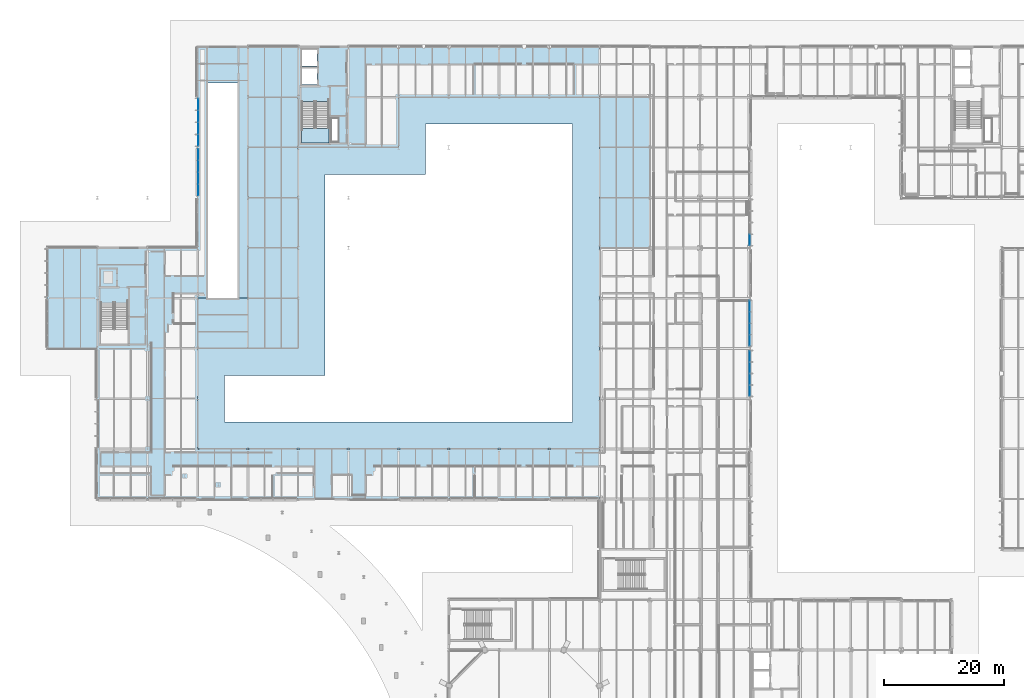
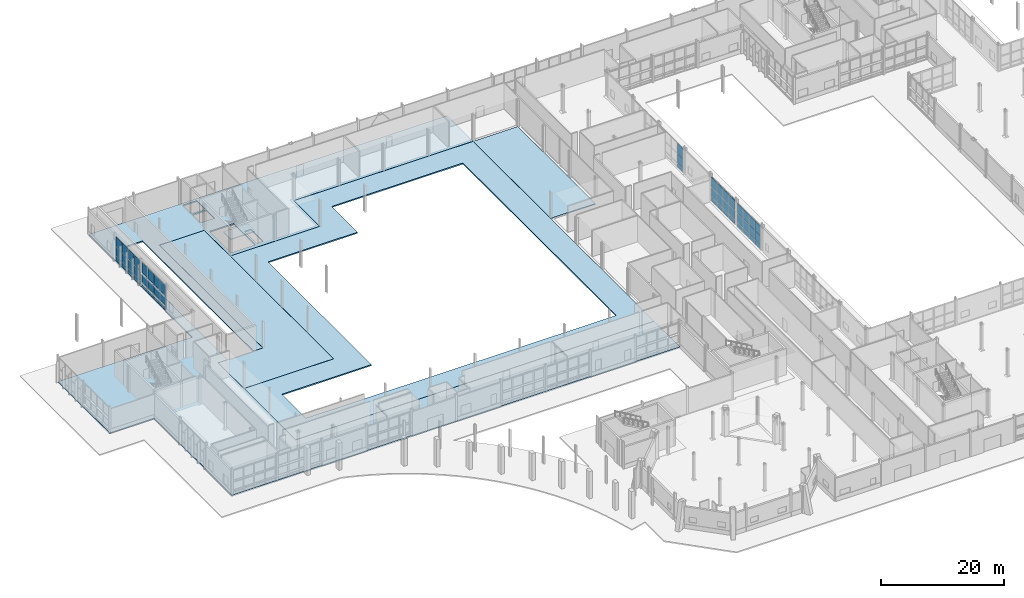
# One storey, part 74 of 124: 51 plates, 5 slabs, 6 elements without a shape of their own.
"""IFC4 building model written with IfcOpenShell, lengths in metres."""

import ifcopenshell
import ifcopenshell.guid

model = None  # the IFC model being written
_history = None  # IfcOwnerHistory: only IFC2X3 demands one
_inside = {}  # id of a spatial element -> (the spatial element, [elements in it])
_under = {}  # id of a project, library or spatial element -> (it, [spatial elements below it])
_declared = {}  # id of a project -> (the project, [libraries it declares])
_typed = {}  # id of a type object -> (the type object, [elements of that type])
_made_of = {}  # id of a material, layer set ... -> (it, [elements and type objects made of it])


def new_model(schema):
    """Start an empty IFC model of exactly this schema.

    Asked for "IFC4X3", IfcOpenShell would pick the latest addendum, in which some entities
    have other attributes; the version numbers below select the first issue.
    IFC2X3 requires an IfcOwnerHistory on every rooted entity: one is made here for all.
    """
    global model, _history
    if schema == "IFC4X3":
        model = ifcopenshell.file(schema_version=(4, 3, 0, 0))
    else:
        model = ifcopenshell.file(schema=schema)
    _inside.clear()
    _under.clear()
    _declared.clear()
    _typed.clear()
    _made_of.clear()
    _history = None
    if model.schema == "IFC2X3":
        org = make("IfcOrganization", Name="unknown")
        user = make(
            "IfcPersonAndOrganization",
            ThePerson=make("IfcPerson", FamilyName="unknown"),
            TheOrganization=org,
        )
        app = make(
            "IfcApplication",
            ApplicationDeveloper=org,
            Version="unknown",
            ApplicationFullName="unknown",
            ApplicationIdentifier="unknown",
        )
        _history = make(
            "IfcOwnerHistory",
            OwningUser=user,
            OwningApplication=app,
            ChangeAction="ADDED",
            CreationDate=0,
        )
    return model


def make(cls, **values):
    """One entity of the class cls with the attributes given. An attribute that is None is left unset."""
    return model.create_entity(
        cls, **{name: value for name, value in values.items() if value is not None}
    )


def rooted(cls, **values):
    """An entity with a GlobalId (a new one), such as an element, a storey or a relation."""
    return make(cls, GlobalId=ifcopenshell.guid.new(), OwnerHistory=_history, **values)


def si_unit(unit_type, name, prefix=None):
    """IfcSIUnit, for example si_unit("LENGTHUNIT", "METRE", prefix="MILLI")."""
    return make("IfcSIUnit", UnitType=unit_type, Prefix=prefix, Name=name)


def assignment(units):
    """IfcUnitAssignment: the units of a project."""
    return None if units is None else make("IfcUnitAssignment", Units=units)


def point(xyz):
    """IfcCartesianPoint."""
    return None if xyz is None else make("IfcCartesianPoint", Coordinates=xyz)


def direction(xyz):
    """IfcDirection."""
    return None if xyz is None else make("IfcDirection", DirectionRatios=xyz)


def frame(location, z_axis=None, x_axis=None):
    """IfcAxis2Placement3D, a coordinate frame: its origin and axes. An axis left out is left unset."""
    return make(
        "IfcAxis2Placement3D",
        Location=point(location),
        Axis=direction(z_axis),
        RefDirection=direction(x_axis),
    )


def frame_2d(location, x_axis=None):
    """IfcAxis2Placement2D, a coordinate frame in the plane: its origin and x axis."""
    return make(
        "IfcAxis2Placement2D", Location=point(location), RefDirection=direction(x_axis)
    )


def origin():
    """The frame at (0, 0, 0) with its axes left unset."""
    return frame((0.0, 0.0, 0.0))


def origin_2d():
    """The frame at (0, 0) in the plane with its x axis left unset."""
    return frame_2d((0.0, 0.0))


def place(relative_to, where):
    """IfcLocalPlacement: puts the frame where relative to a parent placement (None: the world)."""
    return make(
        "IfcLocalPlacement", PlacementRelTo=relative_to, RelativePlacement=where
    )


def context(
    kind, dimensions, precision=None, world=None, true_north=None, identifier=None
):
    """IfcGeometricRepresentationContext, for example the 3D "Model" context."""
    return make(
        "IfcGeometricRepresentationContext",
        ContextIdentifier=identifier,
        ContextType=kind,
        CoordinateSpaceDimension=dimensions,
        Precision=precision,
        WorldCoordinateSystem=world,
        TrueNorth=true_north,
    )


def subcontext(parent, identifier, kind, view, scale=None):
    """IfcGeometricRepresentationSubContext, for example "Body" below "Model"."""
    return make(
        "IfcGeometricRepresentationSubContext",
        ContextIdentifier=identifier,
        ContextType=kind,
        ParentContext=parent,
        TargetScale=scale,
        TargetView=view,
    )


def project(units=None, contexts=None):
    """IfcProject with its units and contexts."""
    return rooted(
        "IfcProject",
        Name="project",
        RepresentationContexts=contexts,
        UnitsInContext=assignment(units),
    )


def spatial(cls, under=None, at=None, **own):
    """A site, building, storey or space (cls), placed at a placement, below another one or the project."""
    s = rooted(cls, ObjectPlacement=at, **own)
    if under is not None:
        _under.setdefault(under.id(), (under, []))[1].append(s)
    return s


def polyline(points):
    """IfcPolyline through the points."""
    return make("IfcPolyline", Points=[point(p) for p in points])


def profile(cls, at=None, kind="AREA", **sizes):
    """A parametric profile (cls). Its sizes go by their IFC names, for example OverallWidth=200.0."""
    return make(cls, ProfileType=kind, Position=at, **sizes)


def rectangle(**sizes):
    """IfcRectangleProfileDef."""
    return profile("IfcRectangleProfileDef", **sizes)


def outline(outer, holes=None, kind="AREA"):
    """IfcArbitraryClosedProfileDef: a profile drawn as a closed curve; with holes, ...WithVoids."""
    if holes is None:
        return make("IfcArbitraryClosedProfileDef", ProfileType=kind, OuterCurve=outer)
    return make(
        "IfcArbitraryProfileDefWithVoids",
        ProfileType=kind,
        OuterCurve=outer,
        InnerCurves=holes,
    )


def extrude(swept, where, along, depth):
    """IfcExtrudedAreaSolid: the profile swept, set in the frame where, extruded along a direction by depth."""
    return make(
        "IfcExtrudedAreaSolid",
        SweptArea=swept,
        Position=where,
        ExtrudedDirection=direction(along),
        Depth=depth,
    )


def shape(context_of_items, identifier, shape_type, items):
    """IfcShapeRepresentation: the items that make up one representation, for example the "Body"."""
    return make(
        "IfcShapeRepresentation",
        ContextOfItems=context_of_items,
        RepresentationIdentifier=identifier,
        RepresentationType=shape_type,
        Items=items,
    )


def material(Name=None, Category=None):
    """IfcMaterial."""
    return make("IfcMaterial", Name=Name, Category=Category)


def layer(
    of_material, thickness, ventilated=None, Name=None, Category=None, Priority=None
):
    """IfcMaterialLayer: one layer of a wall or slab, of a material (None: an air gap)."""
    return make(
        "IfcMaterialLayer",
        Material=of_material,
        LayerThickness=thickness,
        IsVentilated=ventilated,
        Name=Name,
        Category=Category,
        Priority=Priority,
    )


def layer_set(layers, Name=None):
    """IfcMaterialLayerSet."""
    return make("IfcMaterialLayerSet", MaterialLayers=layers, LayerSetName=Name)


def made_of(thing, what):
    """Note that an element or type object is made of a material, layer set ...; save() writes the relation."""
    if what is not None:
        _made_of.setdefault(what.id(), (what, []))[1].append(thing)
    return thing


def type_object(cls, material=None, **own):
    """A type object (cls), such as IfcWallType, which elements share."""
    return made_of(rooted(cls, **own), material)


def element(
    cls,
    number,
    at=None,
    inside=None,
    cuts=None,
    type_object=None,
    material=None,
    context=None,
    identifier="Body",
    shape_type=None,
    held_by="IfcProductDefinitionShape",
    body=None,
    shapes=None,
    **own,
):
    """One element of the class cls, such as IfcWall. Its Tag is "e" and its number.

    at: its placement. inside: the storey or other place that contains it. cuts: it is an
    opening in that element (IfcRelVoidsElement). A single representation is given by context,
    identifier, shape_type and body (its items); several are given by shapes. held_by: the class
    of the entity that holds the representations. save() writes the other relations.
    """
    e = rooted(cls, Tag="e%d" % number, ObjectPlacement=at, **own)
    if body is not None:
        shapes = [shape(context, identifier, shape_type, body)]
    if shapes is not None:
        e.Representation = make(held_by, Representations=shapes)
    if inside is not None:
        _inside.setdefault(inside.id(), (inside, []))[1].append(e)
    if cuts is not None:
        rooted(
            "IfcRelVoidsElement", RelatingBuildingElement=cuts, RelatedOpeningElement=e
        )
    if type_object is not None:
        _typed.setdefault(type_object.id(), (type_object, []))[1].append(e)
    return made_of(e, material)


def aggregate(whole, parts):
    """IfcRelAggregates: a whole, such as a stair, and the parts it consists of."""
    return rooted("IfcRelAggregates", RelatingObject=whole, RelatedObjects=parts)


def save(model, path):
    """Write the relations noted so far, then the file.

    IfcRelAggregates (storeys below a building ...), IfcRelContainedInSpatialStructure (elements
    in a storey), IfcRelDefinesByType, IfcRelAssociatesMaterial and IfcRelDeclares: one each for
    every whole, place, type object, material and project.
    """
    for whole, parts in _under.values():
        aggregate(whole, parts)
    for where, things in _inside.values():
        rooted(
            "IfcRelContainedInSpatialStructure",
            RelatedElements=things,
            RelatingStructure=where,
        )
    for kind, things in _typed.values():
        rooted("IfcRelDefinesByType", RelatedObjects=things, RelatingType=kind)
    for what, things in _made_of.values():
        rooted("IfcRelAssociatesMaterial", RelatedObjects=things, RelatingMaterial=what)
    for by, libraries in _declared.values():
        rooted("IfcRelDeclares", RelatingContext=by, RelatedDefinitions=libraries)
    model.write(path)


model = new_model("IFC4")

# Units and contexts
model_context = context("Model", 3, precision=1e-05, world=origin(), true_north=direction((0.0, 1.0)))
body_context = subcontext(model_context, "Body", "Model", "MODEL_VIEW")
ifc_project = project(units=[si_unit("LENGTHUNIT", "METRE"), si_unit("AREAUNIT", "SQUARE_METRE"), si_unit("VOLUMEUNIT", "CUBIC_METRE"), si_unit("PLANEANGLEUNIT", "RADIAN"), si_unit("MASSUNIT", "GRAM", prefix="KILO")], contexts=[model_context])

# Site, building, storey
site_placement = place(None, origin())
site = spatial("IfcSite", under=ifc_project, at=site_placement, CompositionType="ELEMENT")
building_placement = place(site_placement, origin())
building = spatial("IfcBuilding", under=site, at=building_placement, Name="Mersafa Astral City Hall", CompositionType="ELEMENT")
storey_placement = place(building_placement, origin())
storey = spatial("IfcBuildingStorey", under=building, at=storey_placement, Name="L00", CompositionType="ELEMENT", Elevation=0.0)

# Curtain wall, plates
ifc_material_1 = material(Name="Anodised bronze aluminium framing", Category="aluminium")
curtain_wall_type_1 = type_object("IfcCurtainWallType", Name="ENV-CW-1", PredefinedType="USERDEFINED", material=ifc_material_1)
curtain_wall_1_placement = place(storey_placement, origin())
curtain_wall_1 = element("IfcCurtainWall", 1, at=curtain_wall_1_placement, inside=storey, type_object=curtain_wall_type_1, Name="L00 Unitised solar curtain wall 12", ObjectType="UNITISED CURTAIN WALL", PredefinedType="USERDEFINED")
ifc_material_2 = material(Name="Solar control low-e double glazing", Category="glass")
ifc_layer_1 = layer(ifc_material_2, 0.028076171875, Name="Solar control low-e double glazing")
ifc_layer_set_1 = layer_set([ifc_layer_1], Name="Solar control low-e double glazing — ENV-CW-PNL-GLZ-1")
plate_type_1 = type_object("IfcPlateType", Name="ENV-CW-PNL-GLZ-1", PredefinedType="CURTAIN_PANEL", material=ifc_layer_set_1)
plate_1_placement = place(storey_placement, frame((117.47998046875, 93.7421875, 0.05810546875), z_axis=(0.0, 0.0, 1.0), x_axis=(0.0, 1.0, 0.0)))
plate_1 = element("IfcPlate", 2, at=plate_1_placement, type_object=plate_type_1, Name="CW-1 panel 1.1", PredefinedType="CURTAIN_PANEL", context=body_context, shape_type="SweptSolid", body=[
    extrude(rectangle(XDim=1.770263671875, YDim=0.028076171875, at=origin_2d()), origin(), (0.0, 0.0, 1.0), 0.761962890625),
])
plate_2_placement = place(storey_placement, frame((117.47998046875, 93.7421875, 0.8798828125), z_axis=(0.0, 0.0, 1.0), x_axis=(0.0, 1.0, 0.0)))
plate_2 = element("IfcPlate", 3, at=plate_2_placement, type_object=plate_type_1, Name="CW-1 panel 1.2", PredefinedType="CURTAIN_PANEL", context=body_context, shape_type="SweptSolid", body=[
    extrude(rectangle(XDim=1.770263671875, YDim=0.028076171875, at=origin_2d()), origin(), (0.0, 0.0, 1.0), 1.840087890625),
])
plate_3_placement = place(storey_placement, frame((117.47998046875, 93.7421875, 2.780029296875), z_axis=(0.0, 0.0, 1.0), x_axis=(0.0, 1.0, 0.0)))
plate_3 = element("IfcPlate", 4, at=plate_3_placement, type_object=plate_type_1, Name="CW-1 panel 1.3", PredefinedType="CURTAIN_PANEL", context=body_context, shape_type="SweptSolid", body=[
    extrude(rectangle(XDim=1.770263671875, YDim=0.028076171875, at=origin_2d()), origin(), (0.0, 0.0, 1.0), 2.06201171875),
])
aggregate(curtain_wall_1, [plate_1, plate_2, plate_3])

curtain_wall_type_2 = type_object("IfcCurtainWallType", Name="ENV-CW-5", PredefinedType="USERDEFINED", material=ifc_material_1)
curtain_wall_2_placement = place(storey_placement, origin())
curtain_wall_2 = element("IfcCurtainWall", 5, at=curtain_wall_2_placement, inside=storey, type_object=curtain_wall_type_2, Name="L00 Unitised solar curtain wall 10", ObjectType="UNITISED CURTAIN WALL", PredefinedType="USERDEFINED")
ifc_layer_2 = layer(ifc_material_2, 0.035888671875, Name="Solar control low-e double glazing")
ifc_layer_set_2 = layer_set([ifc_layer_2], Name="Solar control low-e double glazing — ENV-CW-PNL-GLZ-3")
plate_type_2 = type_object("IfcPlateType", Name="ENV-CW-PNL-GLZ-3", PredefinedType="CURTAIN_PANEL", material=ifc_layer_set_2)
plate_4_placement = place(storey_placement, frame((117.47998046875, 68.53271484375, 0.05810546875), z_axis=(0.0, 0.0, 1.0), x_axis=(0.0, 1.0, 0.0)))
plate_4 = element("IfcPlate", 6, at=plate_4_placement, type_object=plate_type_2, Name="CW-5 panel 1.1", PredefinedType="CURTAIN_PANEL", context=body_context, shape_type="SweptSolid", body=[
    extrude(rectangle(XDim=1.75146484375, YDim=0.035888671875, at=origin_2d()), origin(), (0.0, 0.0, 1.0), 0.761962890625),
])
plate_5_placement = place(storey_placement, frame((117.47998046875, 68.53271484375, 0.8798828125), z_axis=(0.0, 0.0, 1.0), x_axis=(0.0, 1.0, 0.0)))
plate_5 = element("IfcPlate", 7, at=plate_5_placement, type_object=plate_type_2, Name="CW-5 panel 1.2", PredefinedType="CURTAIN_PANEL", context=body_context, shape_type="SweptSolid", body=[
    extrude(rectangle(XDim=1.75146484375, YDim=0.035888671875, at=origin_2d()), origin(), (0.0, 0.0, 1.0), 1.840087890625),
])
plate_6_placement = place(storey_placement, frame((117.47998046875, 68.53271484375, 2.7802734375), z_axis=(0.0, 0.0, 1.0), x_axis=(0.0, 1.0, 0.0)))
plate_6 = element("IfcPlate", 8, at=plate_6_placement, type_object=plate_type_2, Name="CW-5 panel 1.3", PredefinedType="CURTAIN_PANEL", context=body_context, shape_type="SweptSolid", body=[
    extrude(rectangle(XDim=1.75146484375, YDim=0.035888671875, at=origin_2d()), origin(), (0.0, 0.0, 1.0), 1.971923828125),
])
plate_7_placement = place(storey_placement, frame((117.47998046875, 70.434326171875, 0.05810546875), z_axis=(0.0, 0.0, 1.0), x_axis=(0.0, 1.0, 0.0)))
plate_7 = element("IfcPlate", 9, at=plate_7_placement, type_object=plate_type_2, Name="CW-5 panel 2.1", PredefinedType="CURTAIN_PANEL", context=body_context, shape_type="SweptSolid", body=[
    extrude(rectangle(XDim=1.8115234375, YDim=0.035888671875, at=origin_2d()), origin(), (0.0, 0.0, 1.0), 0.761962890625),
])
plate_8_placement = place(storey_placement, frame((117.47998046875, 70.434326171875, 0.8798828125), z_axis=(0.0, 0.0, 1.0), x_axis=(0.0, 1.0, 0.0)))
plate_8 = element("IfcPlate", 10, at=plate_8_placement, type_object=plate_type_2, Name="CW-5 panel 2.2", PredefinedType="CURTAIN_PANEL", context=body_context, shape_type="SweptSolid", body=[
    extrude(rectangle(XDim=1.8115234375, YDim=0.035888671875, at=origin_2d()), origin(), (0.0, 0.0, 1.0), 1.840087890625),
])
plate_9_placement = place(storey_placement, frame((117.47998046875, 70.434326171875, 2.7802734375), z_axis=(0.0, 0.0, 1.0), x_axis=(0.0, 1.0, 0.0)))
plate_9 = element("IfcPlate", 11, at=plate_9_placement, type_object=plate_type_2, Name="CW-5 panel 2.3", PredefinedType="CURTAIN_PANEL", context=body_context, shape_type="SweptSolid", body=[
    extrude(rectangle(XDim=1.8115234375, YDim=0.035888671875, at=origin_2d()), origin(), (0.0, 0.0, 1.0), 1.971923828125),
])
plate_10_placement = place(storey_placement, frame((117.47998046875, 72.36572265625, 0.05810546875), z_axis=(0.0, 0.0, 1.0), x_axis=(0.0, 1.0, 0.0)))
plate_10 = element("IfcPlate", 12, at=plate_10_placement, type_object=plate_type_2, Name="CW-5 panel 3.1", PredefinedType="CURTAIN_PANEL", context=body_context, shape_type="SweptSolid", body=[
    extrude(rectangle(XDim=1.8115234375, YDim=0.035888671875, at=origin_2d()), origin(), (0.0, 0.0, 1.0), 0.761962890625),
])
plate_11_placement = place(storey_placement, frame((117.47998046875, 72.36572265625, 0.8798828125), z_axis=(0.0, 0.0, 1.0), x_axis=(0.0, 1.0, 0.0)))
plate_11 = element("IfcPlate", 13, at=plate_11_placement, type_object=plate_type_2, Name="CW-5 panel 3.2", PredefinedType="CURTAIN_PANEL", context=body_context, shape_type="SweptSolid", body=[
    extrude(rectangle(XDim=1.8115234375, YDim=0.035888671875, at=origin_2d()), origin(), (0.0, 0.0, 1.0), 1.840087890625),
])
plate_12_placement = place(storey_placement, frame((117.47998046875, 72.36572265625, 2.7802734375), z_axis=(0.0, 0.0, 1.0), x_axis=(0.0, 1.0, 0.0)))
plate_12 = element("IfcPlate", 14, at=plate_12_placement, type_object=plate_type_2, Name="CW-5 panel 3.3", PredefinedType="CURTAIN_PANEL", context=body_context, shape_type="SweptSolid", body=[
    extrude(rectangle(XDim=1.8115234375, YDim=0.035888671875, at=origin_2d()), origin(), (0.0, 0.0, 1.0), 1.971923828125),
])
plate_13_placement = place(storey_placement, frame((117.47998046875, 74.267333984375, 0.05810546875), z_axis=(0.0, 0.0, 1.0), x_axis=(0.0, 1.0, 0.0)))
plate_13 = element("IfcPlate", 15, at=plate_13_placement, type_object=plate_type_2, Name="CW-5 panel 4.1", PredefinedType="CURTAIN_PANEL", context=body_context, shape_type="SweptSolid", body=[
    extrude(rectangle(XDim=1.75146484375, YDim=0.035888671875, at=origin_2d()), origin(), (0.0, 0.0, 1.0), 0.761962890625),
])
plate_14_placement = place(storey_placement, frame((117.47998046875, 74.267333984375, 0.8798828125), z_axis=(0.0, 0.0, 1.0), x_axis=(0.0, 1.0, 0.0)))
plate_14 = element("IfcPlate", 16, at=plate_14_placement, type_object=plate_type_2, Name="CW-5 panel 4.2", PredefinedType="CURTAIN_PANEL", context=body_context, shape_type="SweptSolid", body=[
    extrude(rectangle(XDim=1.75146484375, YDim=0.035888671875, at=origin_2d()), origin(), (0.0, 0.0, 1.0), 1.840087890625),
])
plate_15_placement = place(storey_placement, frame((117.47998046875, 74.267333984375, 2.7802734375), z_axis=(0.0, 0.0, 1.0), x_axis=(0.0, 1.0, 0.0)))
plate_15 = element("IfcPlate", 17, at=plate_15_placement, type_object=plate_type_2, Name="CW-5 panel 4.3", PredefinedType="CURTAIN_PANEL", context=body_context, shape_type="SweptSolid", body=[
    extrude(rectangle(XDim=1.75146484375, YDim=0.035888671875, at=origin_2d()), origin(), (0.0, 0.0, 1.0), 1.971923828125),
])
aggregate(curtain_wall_2, [plate_4, plate_5, plate_6, plate_7, plate_8, plate_9, plate_10, plate_11, plate_12, plate_13, plate_14, plate_15])

curtain_wall_3_placement = place(storey_placement, origin())
curtain_wall_3 = element("IfcCurtainWall", 18, at=curtain_wall_3_placement, inside=storey, type_object=curtain_wall_type_2, Name="L00 Unitised solar curtain wall 34", ObjectType="UNITISED CURTAIN WALL", PredefinedType="USERDEFINED")
plate_16_placement = place(storey_placement, frame((25.320068359375, 116.3984375, 0.05810546875), z_axis=(0.0, 0.0, 1.0), x_axis=(0.0, -1.0, 0.0)))
plate_16 = element("IfcPlate", 19, at=plate_16_placement, type_object=plate_type_2, Name="CW-5 panel 1.1", PredefinedType="CURTAIN_PANEL", context=body_context, shape_type="SweptSolid", body=[
    extrude(rectangle(XDim=1.839111328125, YDim=0.035888671875, at=origin_2d()), origin(), (0.0, 0.0, 1.0), 0.761962890625),
])
plate_17_placement = place(storey_placement, frame((25.320068359375, 116.3984375, 0.8798828125), z_axis=(0.0, 0.0, 1.0), x_axis=(0.0, -1.0, 0.0)))
plate_17 = element("IfcPlate", 20, at=plate_17_placement, type_object=plate_type_2, Name="CW-5 panel 1.2", PredefinedType="CURTAIN_PANEL", context=body_context, shape_type="SweptSolid", body=[
    extrude(rectangle(XDim=1.839111328125, YDim=0.035888671875, at=origin_2d()), origin(), (0.0, 0.0, 1.0), 1.840087890625),
])
plate_18_placement = place(storey_placement, frame((25.320068359375, 116.3984375, 2.7802734375), z_axis=(0.0, 0.0, 1.0), x_axis=(0.0, -1.0, 0.0)))
plate_18 = element("IfcPlate", 21, at=plate_18_placement, type_object=plate_type_2, Name="CW-5 panel 1.3", PredefinedType="CURTAIN_PANEL", context=body_context, shape_type="SweptSolid", body=[
    extrude(rectangle(XDim=1.839111328125, YDim=0.035888671875, at=origin_2d()), origin(), (0.0, 0.0, 1.0), 1.971923828125),
])
plate_19_placement = place(storey_placement, frame((25.320068359375, 114.409423828125, 0.05810546875), z_axis=(0.0, 0.0, 1.0), x_axis=(0.0, -1.0, 0.0)))
plate_19 = element("IfcPlate", 22, at=plate_19_placement, type_object=plate_type_2, Name="CW-5 panel 2.1", PredefinedType="CURTAIN_PANEL", context=body_context, shape_type="SweptSolid", body=[
    extrude(rectangle(XDim=1.89892578125, YDim=0.035888671875, at=origin_2d()), origin(), (0.0, 0.0, 1.0), 0.761962890625),
])
plate_20_placement = place(storey_placement, frame((25.320068359375, 114.409423828125, 0.8798828125), z_axis=(0.0, 0.0, 1.0), x_axis=(0.0, -1.0, 0.0)))
plate_20 = element("IfcPlate", 23, at=plate_20_placement, type_object=plate_type_2, Name="CW-5 panel 2.2", PredefinedType="CURTAIN_PANEL", context=body_context, shape_type="SweptSolid", body=[
    extrude(rectangle(XDim=1.89892578125, YDim=0.035888671875, at=origin_2d()), origin(), (0.0, 0.0, 1.0), 1.840087890625),
])
plate_21_placement = place(storey_placement, frame((25.320068359375, 114.409423828125, 2.7802734375), z_axis=(0.0, 0.0, 1.0), x_axis=(0.0, -1.0, 0.0)))
plate_21 = element("IfcPlate", 24, at=plate_21_placement, type_object=plate_type_2, Name="CW-5 panel 2.3", PredefinedType="CURTAIN_PANEL", context=body_context, shape_type="SweptSolid", body=[
    extrude(rectangle(XDim=1.89892578125, YDim=0.035888671875, at=origin_2d()), origin(), (0.0, 0.0, 1.0), 1.971923828125),
])
plate_22_placement = place(storey_placement, frame((25.320068359375, 112.390380859375, 0.05810546875), z_axis=(0.0, 0.0, 1.0), x_axis=(0.0, -1.0, 0.0)))
plate_22 = element("IfcPlate", 25, at=plate_22_placement, type_object=plate_type_2, Name="CW-5 panel 3.1", PredefinedType="CURTAIN_PANEL", context=body_context, shape_type="SweptSolid", body=[
    extrude(rectangle(XDim=1.89892578125, YDim=0.035888671875, at=origin_2d()), origin(), (0.0, 0.0, 1.0), 0.761962890625),
])
plate_23_placement = place(storey_placement, frame((25.320068359375, 112.390380859375, 0.8798828125), z_axis=(0.0, 0.0, 1.0), x_axis=(0.0, -1.0, 0.0)))
plate_23 = element("IfcPlate", 26, at=plate_23_placement, type_object=plate_type_2, Name="CW-5 panel 3.2", PredefinedType="CURTAIN_PANEL", context=body_context, shape_type="SweptSolid", body=[
    extrude(rectangle(XDim=1.89892578125, YDim=0.035888671875, at=origin_2d()), origin(), (0.0, 0.0, 1.0), 1.840087890625),
])
plate_24_placement = place(storey_placement, frame((25.320068359375, 112.390380859375, 2.7802734375), z_axis=(0.0, 0.0, 1.0), x_axis=(0.0, -1.0, 0.0)))
plate_24 = element("IfcPlate", 27, at=plate_24_placement, type_object=plate_type_2, Name="CW-5 panel 3.3", PredefinedType="CURTAIN_PANEL", context=body_context, shape_type="SweptSolid", body=[
    extrude(rectangle(XDim=1.89892578125, YDim=0.035888671875, at=origin_2d()), origin(), (0.0, 0.0, 1.0), 1.971923828125),
])
plate_25_placement = place(storey_placement, frame((25.320068359375, 110.401611328125, 0.05810546875), z_axis=(0.0, 0.0, 1.0), x_axis=(0.0, -1.0, 0.0)))
plate_25 = element("IfcPlate", 28, at=plate_25_placement, type_object=plate_type_2, Name="CW-5 panel 4.1", PredefinedType="CURTAIN_PANEL", context=body_context, shape_type="SweptSolid", body=[
    extrude(rectangle(XDim=1.839111328125, YDim=0.035888671875, at=origin_2d()), origin(), (0.0, 0.0, 1.0), 0.761962890625),
])
plate_26_placement = place(storey_placement, frame((25.320068359375, 110.401611328125, 0.8798828125), z_axis=(0.0, 0.0, 1.0), x_axis=(0.0, -1.0, 0.0)))
plate_26 = element("IfcPlate", 29, at=plate_26_placement, type_object=plate_type_2, Name="CW-5 panel 4.2", PredefinedType="CURTAIN_PANEL", context=body_context, shape_type="SweptSolid", body=[
    extrude(rectangle(XDim=1.839111328125, YDim=0.035888671875, at=origin_2d()), origin(), (0.0, 0.0, 1.0), 1.840087890625),
])
plate_27_placement = place(storey_placement, frame((25.320068359375, 110.401611328125, 2.7802734375), z_axis=(0.0, 0.0, 1.0), x_axis=(0.0, -1.0, 0.0)))
plate_27 = element("IfcPlate", 30, at=plate_27_placement, type_object=plate_type_2, Name="CW-5 panel 4.3", PredefinedType="CURTAIN_PANEL", context=body_context, shape_type="SweptSolid", body=[
    extrude(rectangle(XDim=1.839111328125, YDim=0.035888671875, at=origin_2d()), origin(), (0.0, 0.0, 1.0), 1.971923828125),
])
aggregate(curtain_wall_3, [plate_16, plate_17, plate_18, plate_19, plate_20, plate_21, plate_22, plate_23, plate_24, plate_25, plate_26, plate_27])

curtain_wall_type_3 = type_object("IfcCurtainWallType", Name="ENV-CW-6", PredefinedType="USERDEFINED", material=ifc_material_1)
curtain_wall_4_placement = place(storey_placement, origin())
curtain_wall_4 = element("IfcCurtainWall", 31, at=curtain_wall_4_placement, inside=storey, type_object=curtain_wall_type_3, Name="L00 Unitised solar curtain wall 11", ObjectType="UNITISED CURTAIN WALL", PredefinedType="USERDEFINED")
ifc_layer_3 = layer(ifc_material_2, 0.0400390625, Name="Solar control low-e double glazing")
ifc_layer_set_3 = layer_set([ifc_layer_3], Name="Solar control low-e double glazing — ENV-CW-PNL-GLZ-4")
plate_type_3 = type_object("IfcPlateType", Name="ENV-CW-PNL-GLZ-4", PredefinedType="CURTAIN_PANEL", material=ifc_layer_set_3)
plate_28_placement = place(storey_placement, frame((117.47998046875, 76.932861328125, 0.05810546875), z_axis=(0.0, 0.0, 1.0), x_axis=(0.0, 1.0, 0.0)))
plate_28 = element("IfcPlate", 32, at=plate_28_placement, type_object=plate_type_3, Name="CW-6 panel 1.1", PredefinedType="CURTAIN_PANEL", context=body_context, shape_type="SweptSolid", body=[
    extrude(rectangle(XDim=1.75146484375, YDim=0.0400390625, at=origin_2d()), origin(), (0.0, 0.0, 1.0), 0.761962890625),
])
plate_29_placement = place(storey_placement, frame((117.47998046875, 76.932861328125, 0.8798828125), z_axis=(0.0, 0.0, 1.0), x_axis=(0.0, 1.0, 0.0)))
plate_29 = element("IfcPlate", 33, at=plate_29_placement, type_object=plate_type_3, Name="CW-6 panel 1.2", PredefinedType="CURTAIN_PANEL", context=body_context, shape_type="SweptSolid", body=[
    extrude(rectangle(XDim=1.75146484375, YDim=0.0400390625, at=origin_2d()), origin(), (0.0, 0.0, 1.0), 1.840087890625),
])
plate_30_placement = place(storey_placement, frame((117.47998046875, 76.932861328125, 2.780029296875), z_axis=(0.0, 0.0, 1.0), x_axis=(0.0, 1.0, 0.0)))
plate_30 = element("IfcPlate", 34, at=plate_30_placement, type_object=plate_type_3, Name="CW-6 panel 1.3", PredefinedType="CURTAIN_PANEL", context=body_context, shape_type="SweptSolid", body=[
    extrude(rectangle(XDim=1.75146484375, YDim=0.0400390625, at=origin_2d()), origin(), (0.0, 0.0, 1.0), 2.06201171875),
])
plate_31_placement = place(storey_placement, frame((117.47998046875, 78.834228515625, 0.05810546875), z_axis=(0.0, 0.0, 1.0), x_axis=(0.0, 1.0, 0.0)))
plate_31 = element("IfcPlate", 35, at=plate_31_placement, type_object=plate_type_3, Name="CW-6 panel 2.1", PredefinedType="CURTAIN_PANEL", context=body_context, shape_type="SweptSolid", body=[
    extrude(rectangle(XDim=1.8115234375, YDim=0.0400390625, at=origin_2d()), origin(), (0.0, 0.0, 1.0), 0.761962890625),
])
plate_32_placement = place(storey_placement, frame((117.47998046875, 78.834228515625, 0.8798828125), z_axis=(0.0, 0.0, 1.0), x_axis=(0.0, 1.0, 0.0)))
plate_32 = element("IfcPlate", 36, at=plate_32_placement, type_object=plate_type_3, Name="CW-6 panel 2.2", PredefinedType="CURTAIN_PANEL", context=body_context, shape_type="SweptSolid", body=[
    extrude(rectangle(XDim=1.8115234375, YDim=0.0400390625, at=origin_2d()), origin(), (0.0, 0.0, 1.0), 1.840087890625),
])
plate_33_placement = place(storey_placement, frame((117.47998046875, 78.834228515625, 2.780029296875), z_axis=(0.0, 0.0, 1.0), x_axis=(0.0, 1.0, 0.0)))
plate_33 = element("IfcPlate", 37, at=plate_33_placement, type_object=plate_type_3, Name="CW-6 panel 2.3", PredefinedType="CURTAIN_PANEL", context=body_context, shape_type="SweptSolid", body=[
    extrude(rectangle(XDim=1.8115234375, YDim=0.0400390625, at=origin_2d()), origin(), (0.0, 0.0, 1.0), 2.06201171875),
])
plate_34_placement = place(storey_placement, frame((117.47998046875, 80.765869140625, 0.05810546875), z_axis=(0.0, 0.0, 1.0), x_axis=(0.0, 1.0, 0.0)))
plate_34 = element("IfcPlate", 38, at=plate_34_placement, type_object=plate_type_3, Name="CW-6 panel 3.1", PredefinedType="CURTAIN_PANEL", context=body_context, shape_type="SweptSolid", body=[
    extrude(rectangle(XDim=1.8115234375, YDim=0.0400390625, at=origin_2d()), origin(), (0.0, 0.0, 1.0), 0.761962890625),
])
plate_35_placement = place(storey_placement, frame((117.47998046875, 80.765869140625, 0.8798828125), z_axis=(0.0, 0.0, 1.0), x_axis=(0.0, 1.0, 0.0)))
plate_35 = element("IfcPlate", 39, at=plate_35_placement, type_object=plate_type_3, Name="CW-6 panel 3.2", PredefinedType="CURTAIN_PANEL", context=body_context, shape_type="SweptSolid", body=[
    extrude(rectangle(XDim=1.8115234375, YDim=0.0400390625, at=origin_2d()), origin(), (0.0, 0.0, 1.0), 1.840087890625),
])
plate_36_placement = place(storey_placement, frame((117.47998046875, 80.765869140625, 2.780029296875), z_axis=(0.0, 0.0, 1.0), x_axis=(0.0, 1.0, 0.0)))
plate_36 = element("IfcPlate", 40, at=plate_36_placement, type_object=plate_type_3, Name="CW-6 panel 3.3", PredefinedType="CURTAIN_PANEL", context=body_context, shape_type="SweptSolid", body=[
    extrude(rectangle(XDim=1.8115234375, YDim=0.0400390625, at=origin_2d()), origin(), (0.0, 0.0, 1.0), 2.06201171875),
])
plate_37_placement = place(storey_placement, frame((117.47998046875, 82.667236328125, 0.05810546875), z_axis=(0.0, 0.0, 1.0), x_axis=(0.0, 1.0, 0.0)))
plate_37 = element("IfcPlate", 41, at=plate_37_placement, type_object=plate_type_3, Name="CW-6 panel 4.1", PredefinedType="CURTAIN_PANEL", context=body_context, shape_type="SweptSolid", body=[
    extrude(rectangle(XDim=1.75146484375, YDim=0.0400390625, at=origin_2d()), origin(), (0.0, 0.0, 1.0), 0.761962890625),
])
plate_38_placement = place(storey_placement, frame((117.47998046875, 82.667236328125, 0.8798828125), z_axis=(0.0, 0.0, 1.0), x_axis=(0.0, 1.0, 0.0)))
plate_38 = element("IfcPlate", 42, at=plate_38_placement, type_object=plate_type_3, Name="CW-6 panel 4.2", PredefinedType="CURTAIN_PANEL", context=body_context, shape_type="SweptSolid", body=[
    extrude(rectangle(XDim=1.75146484375, YDim=0.0400390625, at=origin_2d()), origin(), (0.0, 0.0, 1.0), 1.840087890625),
])
plate_39_placement = place(storey_placement, frame((117.47998046875, 82.667236328125, 2.780029296875), z_axis=(0.0, 0.0, 1.0), x_axis=(0.0, 1.0, 0.0)))
plate_39 = element("IfcPlate", 43, at=plate_39_placement, type_object=plate_type_3, Name="CW-6 panel 4.3", PredefinedType="CURTAIN_PANEL", context=body_context, shape_type="SweptSolid", body=[
    extrude(rectangle(XDim=1.75146484375, YDim=0.0400390625, at=origin_2d()), origin(), (0.0, 0.0, 1.0), 2.06201171875),
])
aggregate(curtain_wall_4, [plate_28, plate_29, plate_30, plate_31, plate_32, plate_33, plate_34, plate_35, plate_36, plate_37, plate_38, plate_39])

curtain_wall_5_placement = place(storey_placement, origin())
curtain_wall_5 = element("IfcCurtainWall", 44, at=curtain_wall_5_placement, inside=storey, type_object=curtain_wall_type_3, Name="L00 Unitised solar curtain wall 35", ObjectType="UNITISED CURTAIN WALL", PredefinedType="USERDEFINED")
plate_40_placement = place(storey_placement, frame((25.320068359375, 108.010986328125, 0.05810546875), z_axis=(0.0, 0.0, 1.0), x_axis=(0.0, -1.0, 0.0)))
plate_40 = element("IfcPlate", 45, at=plate_40_placement, type_object=plate_type_3, Name="CW-6 panel 1.1", PredefinedType="CURTAIN_PANEL", context=body_context, shape_type="SweptSolid", body=[
    extrude(rectangle(XDim=1.81396484375, YDim=0.0400390625, at=origin_2d()), origin(), (0.0, 0.0, 1.0), 0.761962890625),
])
plate_41_placement = place(storey_placement, frame((25.320068359375, 108.010986328125, 0.8798828125), z_axis=(0.0, 0.0, 1.0), x_axis=(0.0, -1.0, 0.0)))
plate_41 = element("IfcPlate", 46, at=plate_41_placement, type_object=plate_type_3, Name="CW-6 panel 1.2", PredefinedType="CURTAIN_PANEL", context=body_context, shape_type="SweptSolid", body=[
    extrude(rectangle(XDim=1.81396484375, YDim=0.0400390625, at=origin_2d()), origin(), (0.0, 0.0, 1.0), 1.840087890625),
])
plate_42_placement = place(storey_placement, frame((25.320068359375, 108.010986328125, 2.780029296875), z_axis=(0.0, 0.0, 1.0), x_axis=(0.0, -1.0, 0.0)))
plate_42 = element("IfcPlate", 47, at=plate_42_placement, type_object=plate_type_3, Name="CW-6 panel 1.3", PredefinedType="CURTAIN_PANEL", context=body_context, shape_type="SweptSolid", body=[
    extrude(rectangle(XDim=1.81396484375, YDim=0.0400390625, at=origin_2d()), origin(), (0.0, 0.0, 1.0), 2.06201171875),
])
plate_43_placement = place(storey_placement, frame((25.320068359375, 106.047119140625, 0.05810546875), z_axis=(0.0, 0.0, 1.0), x_axis=(0.0, -1.0, 0.0)))
plate_43 = element("IfcPlate", 48, at=plate_43_placement, type_object=plate_type_3, Name="CW-6 panel 2.1", PredefinedType="CURTAIN_PANEL", context=body_context, shape_type="SweptSolid", body=[
    extrude(rectangle(XDim=1.8740234375, YDim=0.0400390625, at=origin_2d()), origin(), (0.0, 0.0, 1.0), 0.761962890625),
])
plate_44_placement = place(storey_placement, frame((25.320068359375, 106.047119140625, 0.8798828125), z_axis=(0.0, 0.0, 1.0), x_axis=(0.0, -1.0, 0.0)))
plate_44 = element("IfcPlate", 49, at=plate_44_placement, type_object=plate_type_3, Name="CW-6 panel 2.2", PredefinedType="CURTAIN_PANEL", context=body_context, shape_type="SweptSolid", body=[
    extrude(rectangle(XDim=1.8740234375, YDim=0.0400390625, at=origin_2d()), origin(), (0.0, 0.0, 1.0), 1.840087890625),
])
plate_45_placement = place(storey_placement, frame((25.320068359375, 106.047119140625, 2.780029296875), z_axis=(0.0, 0.0, 1.0), x_axis=(0.0, -1.0, 0.0)))
plate_45 = element("IfcPlate", 50, at=plate_45_placement, type_object=plate_type_3, Name="CW-6 panel 2.3", PredefinedType="CURTAIN_PANEL", context=body_context, shape_type="SweptSolid", body=[
    extrude(rectangle(XDim=1.8740234375, YDim=0.0400390625, at=origin_2d()), origin(), (0.0, 0.0, 1.0), 2.06201171875),
])
plate_46_placement = place(storey_placement, frame((25.320068359375, 104.052978515625, 0.05810546875), z_axis=(0.0, 0.0, 1.0), x_axis=(0.0, -1.0, 0.0)))
plate_46 = element("IfcPlate", 51, at=plate_46_placement, type_object=plate_type_3, Name="CW-6 panel 3.1", PredefinedType="CURTAIN_PANEL", context=body_context, shape_type="SweptSolid", body=[
    extrude(rectangle(XDim=1.8740234375, YDim=0.0400390625, at=origin_2d()), origin(), (0.0, 0.0, 1.0), 0.761962890625),
])
plate_47_placement = place(storey_placement, frame((25.320068359375, 104.052978515625, 0.8798828125), z_axis=(0.0, 0.0, 1.0), x_axis=(0.0, -1.0, 0.0)))
plate_47 = element("IfcPlate", 52, at=plate_47_placement, type_object=plate_type_3, Name="CW-6 panel 3.2", PredefinedType="CURTAIN_PANEL", context=body_context, shape_type="SweptSolid", body=[
    extrude(rectangle(XDim=1.8740234375, YDim=0.0400390625, at=origin_2d()), origin(), (0.0, 0.0, 1.0), 1.840087890625),
])
plate_48_placement = place(storey_placement, frame((25.320068359375, 104.052978515625, 2.780029296875), z_axis=(0.0, 0.0, 1.0), x_axis=(0.0, -1.0, 0.0)))
plate_48 = element("IfcPlate", 53, at=plate_48_placement, type_object=plate_type_3, Name="CW-6 panel 3.3", PredefinedType="CURTAIN_PANEL", context=body_context, shape_type="SweptSolid", body=[
    extrude(rectangle(XDim=1.8740234375, YDim=0.0400390625, at=origin_2d()), origin(), (0.0, 0.0, 1.0), 2.06201171875),
])
plate_49_placement = place(storey_placement, frame((25.320068359375, 102.089111328125, 0.05810546875), z_axis=(0.0, 0.0, 1.0), x_axis=(0.0, -1.0, 0.0)))
plate_49 = element("IfcPlate", 54, at=plate_49_placement, type_object=plate_type_3, Name="CW-6 panel 4.1", PredefinedType="CURTAIN_PANEL", context=body_context, shape_type="SweptSolid", body=[
    extrude(rectangle(XDim=1.81396484375, YDim=0.0400390625, at=origin_2d()), origin(), (0.0, 0.0, 1.0), 0.761962890625),
])
plate_50_placement = place(storey_placement, frame((25.320068359375, 102.089111328125, 0.8798828125), z_axis=(0.0, 0.0, 1.0), x_axis=(0.0, -1.0, 0.0)))
plate_50 = element("IfcPlate", 55, at=plate_50_placement, type_object=plate_type_3, Name="CW-6 panel 4.2", PredefinedType="CURTAIN_PANEL", context=body_context, shape_type="SweptSolid", body=[
    extrude(rectangle(XDim=1.81396484375, YDim=0.0400390625, at=origin_2d()), origin(), (0.0, 0.0, 1.0), 1.840087890625),
])
plate_51_placement = place(storey_placement, frame((25.320068359375, 102.089111328125, 2.780029296875), z_axis=(0.0, 0.0, 1.0), x_axis=(0.0, -1.0, 0.0)))
plate_51 = element("IfcPlate", 56, at=plate_51_placement, type_object=plate_type_3, Name="CW-6 panel 4.3", PredefinedType="CURTAIN_PANEL", context=body_context, shape_type="SweptSolid", body=[
    extrude(rectangle(XDim=1.81396484375, YDim=0.0400390625, at=origin_2d()), origin(), (0.0, 0.0, 1.0), 2.06201171875),
])
aggregate(curtain_wall_5, [plate_40, plate_41, plate_42, plate_43, plate_44, plate_45, plate_46, plate_47, plate_48, plate_49, plate_50, plate_51])

# Stair, slab
ifc_material_3 = material(Name="Concrete C40/50", Category="concrete")
stair_type = type_object("IfcStairType", Name="STAIR", PredefinedType="HALF_TURN_STAIR", material=ifc_material_3)
stair_placement = place(storey_placement, origin())
stair = element("IfcStair", 57, at=stair_placement, inside=storey, type_object=stair_type, Name="L00 Protected Exit Stair ST3", PredefinedType="HALF_TURN_STAIR")
ifc_layer_4 = layer(ifc_material_3, 0.199951171875, Name="Concrete C40/50")
ifc_layer_set_4 = layer_set([ifc_layer_4], Name="Concrete C40/50 — STAIR-LANDING")
slab_type_1 = type_object("IfcSlabType", Name="STAIR-LANDING", PredefinedType="LANDING", material=ifc_layer_set_4)
slab_1_placement = place(storey_placement, frame((0.0, 0.0, 2.5)))
slab_1 = element("IfcSlab", 58, at=slab_1_placement, type_object=slab_type_1, Name="ST3 landing 1", PredefinedType="LANDING", context=body_context, shape_type="SweptSolid", body=[
    extrude(outline(polyline([(42.580078125, 112.39990234375), (42.580078125, 109.949951171875), (47.139892578125, 109.949951171875), (47.139892578125, 112.39990234375), (42.580078125, 112.39990234375)])), origin(), (0.0, 0.0, 1.0), 0.199951171875),
])
aggregate(stair, [slab_1])

# Slabs
ifc_material_4 = material(Name="Concrete C35/45", Category="concrete")
ifc_layer_5 = layer(ifc_material_4, 0.239990234375, Name="Concrete C35/45")
ifc_layer_set_5 = layer_set([ifc_layer_5], Name="Concrete C35/45 — STR-SLAB-APRON-240")
slab_type_2 = type_object("IfcSlabType", Name="STR-SLAB-APRON-240", PredefinedType="BASESLAB", material=ifc_layer_set_5)
slab_2_placement = place(storey_placement, frame((0.0, 0.0, -0.239990234375)))
element("IfcSlab", 59, at=slab_2_placement, inside=storey, type_object=slab_type_2, Name="L00 Exterior civic plaza apron slab 2", PredefinedType="BASESLAB", context=body_context, shape_type="SweptSolid", body=[
    extrude(outline(polyline([(58.80810546875, 109.19189453125), (58.80810546875, 117.592041015625), (92.39208984375, 117.592041015625), (92.39208984375, 92.407958984375), (92.39208984375, 92.39990234375), (92.39208984375, 58.80810546875), (25.2080078125, 58.80810546875), (25.2080078125, 75.592041015625), (42.008056640625, 75.592041015625), (42.008056640625, 109.19189453125), (58.80810546875, 109.19189453125)]), holes=[polyline([(87.89990234375, 87.907958984375), (87.89990234375, 96.89990234375), (87.89990234375, 113.10009765625), (63.300048828125, 113.10009765625), (63.300048828125, 104.699951171875), (46.5, 104.699951171875), (46.5, 71.10009765625), (29.699951171875, 71.10009765625), (29.699951171875, 63.300048828125), (87.89990234375, 63.300048828125), (87.89990234375, 87.907958984375)])]), origin(), (0.0, 0.0, 1.0), 0.239990234375),
])
ifc_layer_6 = layer(ifc_material_4, 0.25, Name="Concrete C35/45")
ifc_layer_set_6 = layer_set([ifc_layer_6], Name="Concrete C35/45 — STR-SLAB-FLR-250")
slab_type_3 = type_object("IfcSlabType", Name="STR-SLAB-FLR-250", PredefinedType="FLOOR", material=ifc_layer_set_6)
slab_3_placement = place(storey_placement, frame((0.0, 0.0, -0.25)))
element("IfcSlab", 60, at=slab_3_placement, inside=storey, type_object=slab_type_3, Name="L00 V4 structural floor slab 1", PredefinedType="FLOOR", context=body_context, shape_type="SweptSolid", body=[
    extrude(outline(polyline([(8.39990234375, 50.39990234375), (8.39990234375, 58.800048828125), (8.39990234375, 67.199951171875), (8.39990234375, 75.60009765625), (0.0, 75.60009765625), (0.0, 84.0), (0.0, 92.39990234375), (8.39990234375, 92.39990234375), (16.800048828125, 92.39990234375), (25.199951171875, 92.39990234375), (25.199951171875, 100.800048828125), (25.199951171875, 109.199951171875), (25.199951171875, 117.60009765625), (25.199951171875, 126.0), (33.60009765625, 126.0), (42.0, 126.0), (50.39990234375, 126.0), (58.800048828125, 126.0), (67.199951171875, 126.0), (75.60009765625, 126.0), (84.0, 126.0), (92.39990234375, 126.0), (92.39990234375, 117.60009765625), (84.0, 117.60009765625), (75.60009765625, 117.60009765625), (67.199951171875, 117.60009765625), (58.800048828125, 117.60009765625), (58.800048828125, 109.199951171875), (50.39990234375, 109.199951171875), (42.0, 109.199951171875), (42.0, 117.60009765625), (33.60009765625, 117.60009765625), (33.60009765625, 109.199951171875), (33.60009765625, 100.800048828125), (33.60009765625, 92.39990234375), (33.60009765625, 84.0), (31.85009765625, 84.0), (31.85009765625, 120.0), (26.949951171875, 120.0), (26.949951171875, 84.0), (25.199951171875, 84.0), (25.199951171875, 75.60009765625), (25.199951171875, 67.199951171875), (25.199951171875, 58.800048828125), (33.60009765625, 58.800048828125), (42.0, 58.800048828125), (50.39990234375, 58.800048828125), (58.800048828125, 58.800048828125), (67.199951171875, 58.800048828125), (75.60009765625, 58.800048828125), (84.0, 58.800048828125), (92.39990234375, 58.800048828125), (92.39990234375, 50.39990234375), (84.0, 50.39990234375), (75.60009765625, 50.39990234375), (67.199951171875, 50.39990234375), (58.800048828125, 50.39990234375), (50.39990234375, 50.39990234375), (42.0, 50.39990234375), (33.60009765625, 50.39990234375), (25.199951171875, 50.39990234375), (16.800048828125, 50.39990234375), (8.39990234375, 50.39990234375)]), holes=[polyline([(48.72998046875, 114.050048828125), (47.550048828125, 114.050048828125), (47.550048828125, 110.14990234375), (48.72998046875, 110.14990234375), (48.72998046875, 114.050048828125)]), polyline([(42.580078125, 109.949951171875), (47.139892578125, 109.949951171875), (47.139892578125, 116.89990234375), (42.580078125, 116.89990234375), (42.580078125, 109.949951171875)]), polyline([(45.179931640625, 122.449951171875), (42.580078125, 122.449951171875), (42.580078125, 119.75), (45.179931640625, 119.75), (45.179931640625, 122.449951171875)]), polyline([(45.179931640625, 122.800048828125), (45.179931640625, 125.5), (42.580078125, 125.5), (42.580078125, 122.800048828125), (45.179931640625, 122.800048828125)])]), origin(), (0.0, 0.0, 1.0), 0.25),
])
ifc_layer_7 = layer(ifc_material_3, 0.199951171875, Name="Concrete C40/50")
ifc_layer_set_7 = layer_set([ifc_layer_7], Name="Concrete C40/50 — STR-SLAB-ROOF-200")
slab_type_4 = type_object("IfcSlabType", Name="STR-SLAB-ROOF-200", PredefinedType="ROOF", material=ifc_layer_set_7)
slab_4_placement = place(storey_placement, frame((0.0, 0.0, -0.199951171875)))
element("IfcSlab", 61, at=slab_4_placement, inside=storey, type_object=slab_type_4, Name="L00 Flat structural wing roof slab 1", PredefinedType="ROOF", context=body_context, shape_type="SweptSolid", body=[
    extrude(outline(polyline([(42.0, 100.800048828125), (42.0, 92.39990234375), (42.0, 84.0), (42.0, 75.60009765625), (33.60009765625, 75.60009765625), (25.2080078125, 75.60009765625), (25.2080078125, 83.991943359375), (33.60791015625, 83.991943359375), (33.60791015625, 117.592041015625), (41.991943359375, 117.592041015625), (41.991943359375, 109.19189453125), (42.0, 109.19189453125), (42.0, 100.800048828125)])), origin(), (0.0, 0.0, 1.0), 0.199951171875),
])
slab_5_placement = place(storey_placement, frame((0.0, 0.0, -0.199951171875)))
element("IfcSlab", 62, at=slab_5_placement, inside=storey, type_object=slab_type_4, Name="L00 Flat structural wing roof slab 2", PredefinedType="ROOF", context=body_context, shape_type="SweptSolid", body=[
    extrude(outline(polyline([(92.39990234375, 100.800048828125), (92.39990234375, 109.199951171875), (92.39990234375, 117.592041015625), (100.7919921875, 117.592041015625), (100.7919921875, 92.407958984375), (92.39990234375, 92.407958984375), (92.39990234375, 100.800048828125)])), origin(), (0.0, 0.0, 1.0), 0.199951171875),
])

save(model, "model.ifc")
